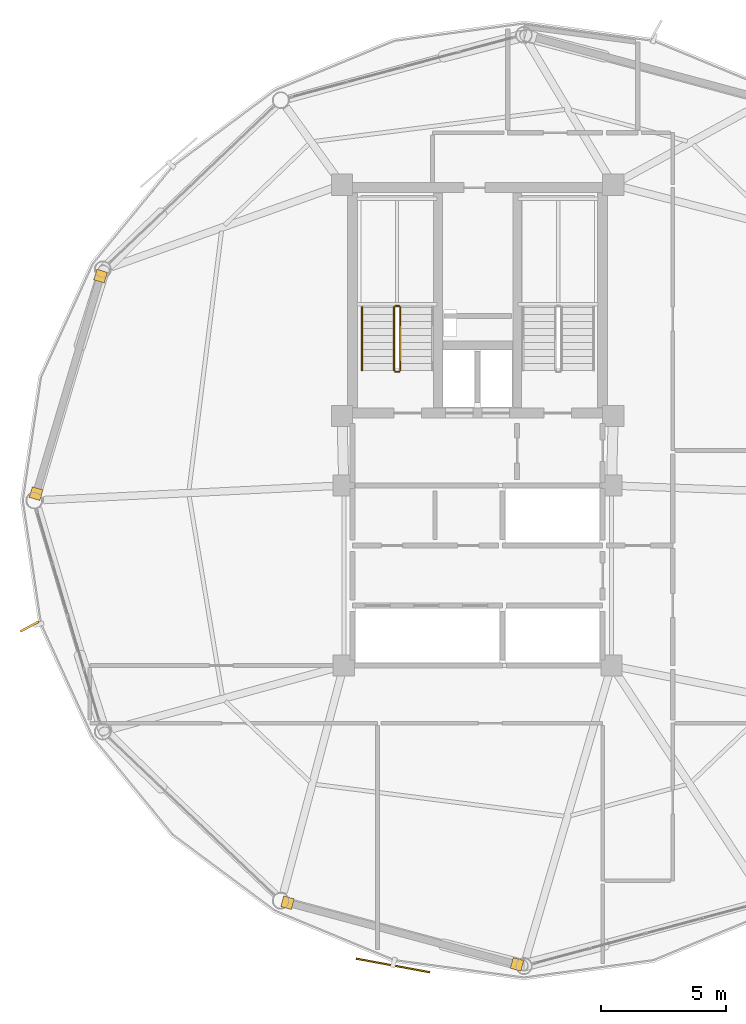
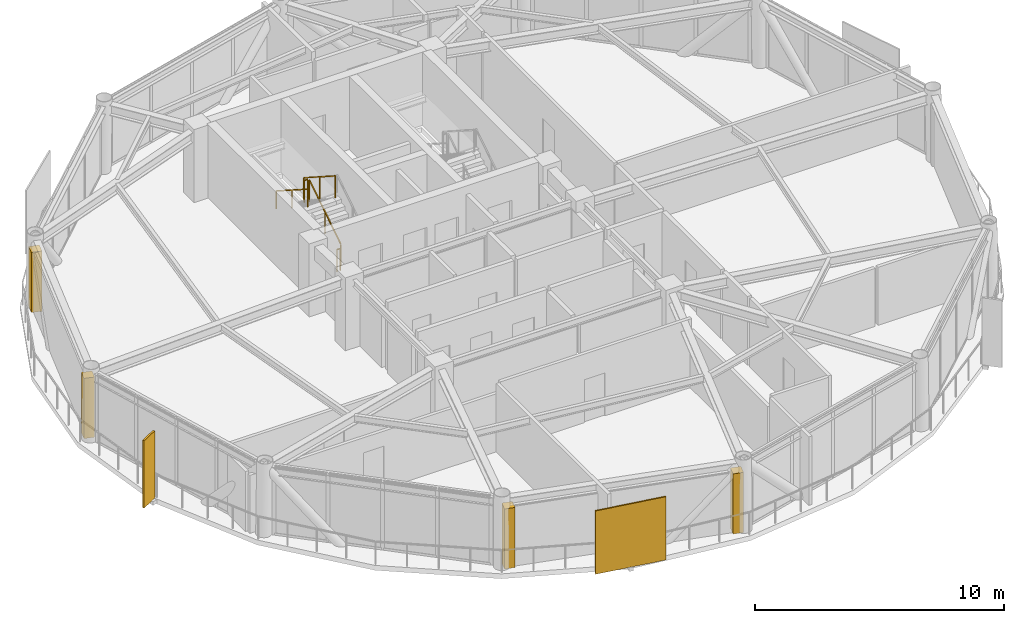
# One storey, part 26 of 29: 5 railings, 4 coverings, 2 shading devices.
"""IFC4 building model written with IfcOpenShell, lengths in metres."""

from ifc_helpers import new_model, si_unit, direction, frame, origin, origin_2d, place, context, subcontext, project, spatial, rectangle, extrude, source, transform, mapped, material, layer, layer_set, type_object, type_shapes, element, save


model = new_model("IFC4")

# Units and contexts
model_context = context("Model", 3, precision=1e-05, world=origin(), true_north=direction((0.0, 1.0)))
body_context = subcontext(model_context, "Body", "Model", "MODEL_VIEW")
ifc_project = project(units=[si_unit("LENGTHUNIT", "METRE"), si_unit("AREAUNIT", "SQUARE_METRE"), si_unit("VOLUMEUNIT", "CUBIC_METRE"), si_unit("PLANEANGLEUNIT", "RADIAN"), si_unit("MASSUNIT", "GRAM", prefix="KILO")], contexts=[model_context])

# Site, building, storey
site_placement = place(None, origin())
site = spatial("IfcSite", under=ifc_project, at=site_placement, CompositionType="ELEMENT")
building_placement = place(site_placement, origin())
building = spatial("IfcBuilding", under=site, at=building_placement, Name="Varnakorn Sky Granary", CompositionType="ELEMENT")
storey_placement = place(building_placement, frame((0.0, 0.0, 189.60009765625)))
storey = spatial("IfcBuildingStorey", under=building, at=storey_placement, Name="L47", CompositionType="ELEMENT", Elevation=189.60009765625)

# Railings
ifc_material_1 = material(Name="Brushed Stainless Steel 316", Category="steel")
railing_type_1 = type_object("IfcRailingType", Name="RL-STAIR-1100", PredefinedType="GUARDRAIL", material=ifc_material_1)
railing_1_placement = place(storey_placement, frame((-0.090087890625, 5.199951171875, 0.179931640625)))
element("IfcRailing", 1, at=railing_1_placement, inside=storey, type_object=railing_type_1, Name="L47 ST-1 stair guard 1", PredefinedType="GUARDRAIL", context=body_context, shape_type="SweptSolid", body=[
    extrude(rectangle(XDim=0.048095703125, YDim=0.048095703125, at=origin_2d()), frame((0.0, 0.0, 1.076171875), z_axis=(0.0, 0.841199657755, 0.540724639528), x_axis=(-1.0, 0.0, 0.0)), (0.0, 0.0, 1.0), 2.995849609375),
    extrude(rectangle(XDim=0.0419921875, YDim=0.0419921875, at=origin_2d()), origin(), (0.0, 0.0, 1.0), 1.048095703125),
    extrude(rectangle(XDim=0.0419921875, YDim=0.0419921875, at=origin_2d()), frame((0.0, 1.260009765625, 0.81005859375)), (0.0, 0.0, 1.0), 1.048095703125),
    extrude(rectangle(XDim=0.0419921875, YDim=0.0419921875, at=origin_2d()), frame((0.0, 2.52001953125, 1.619873046875)), (0.0, 0.0, 1.0), 1.048095703125),
])
railing_2_placement = place(storey_placement, frame((-0.139892578125, 7.77001953125, 1.7998046875)))
element("IfcRailing", 2, at=railing_2_placement, inside=storey, type_object=railing_type_1, Name="L47 ST-1 stair guard 2", PredefinedType="GUARDRAIL", context=body_context, shape_type="SweptSolid", body=[
    extrude(rectangle(XDim=0.048095703125, YDim=0.048095703125, at=origin_2d()), frame((0.0, 0.0, 1.076171875), z_axis=(-1.0, 0.0, 0.0), x_axis=(0.0, -1.0, 0.0)), (0.0, 0.0, 1.0), 0.150146484375),
    extrude(rectangle(XDim=0.0419921875, YDim=0.0419921875, at=origin_2d()), origin(), (0.0, 0.0, 1.0), 1.048095703125),
    extrude(rectangle(XDim=0.0419921875, YDim=0.0419921875, at=origin_2d()), frame((-0.150146484375, 0.0, 0.0)), (0.0, 0.0, 1.0), 1.048095703125),
])
railing_3_placement = place(storey_placement, frame((-0.340087890625, 7.719970703125, 1.97998046875)))
element("IfcRailing", 3, at=railing_3_placement, inside=storey, type_object=railing_type_1, Name="L47 ST-1 stair guard 3", PredefinedType="GUARDRAIL", context=body_context, shape_type="SweptSolid", body=[
    extrude(rectangle(XDim=0.048095703125, YDim=0.048095703125, at=origin_2d()), frame((0.0, 0.0, 1.076171875), z_axis=(0.0, -0.841199657755, 0.540724639528), x_axis=(1.0, 0.0, 0.0)), (0.0, 0.0, 1.0), 2.995849609375),
    extrude(rectangle(XDim=0.0419921875, YDim=0.0419921875, at=origin_2d()), origin(), (0.0, 0.0, 1.0), 1.048095703125),
    extrude(rectangle(XDim=0.0419921875, YDim=0.0419921875, at=origin_2d()), frame((0.0, -1.260009765625, 0.81005859375)), (0.0, 0.0, 1.0), 1.048095703125),
    extrude(rectangle(XDim=0.0419921875, YDim=0.0419921875, at=origin_2d()), frame((0.0, -2.52001953125, 1.619873046875)), (0.0, 0.0, 1.0), 1.048095703125),
])
railing_4_placement = place(storey_placement, frame((-0.139892578125, 5.14990234375, 0.0)))
element("IfcRailing", 4, at=railing_4_placement, inside=storey, type_object=railing_type_1, Name="L47 ST-1 stair guard 4", PredefinedType="GUARDRAIL", context=body_context, shape_type="SweptSolid", body=[
    extrude(rectangle(XDim=0.048095703125, YDim=0.048095703125, at=origin_2d()), frame((0.0, 0.0, 1.076171875), z_axis=(-1.0, 0.0, 0.0), x_axis=(0.0, -1.0, 0.0)), (0.0, 0.0, 1.0), 0.150146484375),
    extrude(rectangle(XDim=0.0419921875, YDim=0.0419921875, at=origin_2d()), origin(), (0.0, 0.0, 1.0), 1.048095703125),
    extrude(rectangle(XDim=0.0419921875, YDim=0.0419921875, at=origin_2d()), frame((-0.150146484375, 0.0, 0.0)), (0.0, 0.0, 1.0), 1.048095703125),
])
railing_type_2 = type_object("IfcRailingType", Name="RL-STAIR-920", PredefinedType="HANDRAIL", material=ifc_material_1)
railing_5_placement = place(storey_placement, frame((-1.6201171875, 7.719970703125, 1.97998046875)))
element("IfcRailing", 5, at=railing_5_placement, inside=storey, type_object=railing_type_2, Name="L47 ST-1 stair handrail 2", PredefinedType="HANDRAIL", context=body_context, shape_type="SweptSolid", body=[
    extrude(rectangle(XDim=0.048095703125, YDim=0.048095703125, at=origin_2d()), frame((0.0, 0.0, 0.8759765625), z_axis=(0.0, -0.841199657755, 0.540724639528), x_axis=(1.0, 0.0, 0.0)), (0.0, 0.0, 1.0), 2.995849609375),
    extrude(rectangle(XDim=0.0419921875, YDim=0.0419921875, at=origin_2d()), origin(), (0.0, 0.0, 1.0), 0.847900390625),
    extrude(rectangle(XDim=0.0419921875, YDim=0.0419921875, at=origin_2d()), frame((0.0, -1.260009765625, 0.81005859375)), (0.0, 0.0, 1.0), 0.847900390625),
    extrude(rectangle(XDim=0.0419921875, YDim=0.0419921875, at=origin_2d()), frame((0.0, -2.52001953125, 1.619873046875)), (0.0, 0.0, 1.0), 0.847900390625),
])

# Shading devices
ifc_material_2 = material(Name="Anodised Bronze Aluminium Alloy 6063-T6", Category="aluminium")
shading_device_type_1 = type_object("IfcShadingDeviceType", Name="SH-SCR-02", PredefinedType="USERDEFINED", material=ifc_material_2)
shared_shape_1 = source(origin(), body_context, "Body", "SweptSolid", [
    extrude(rectangle(XDim=3.0, YDim=0.06494140625, at=origin_2d()), origin(), (0.0, 0.0, 1.0), 3.10009765625),
])
type_shapes(shading_device_type_1, [shared_shape_1])
shading_device_1_placement = place(storey_placement, frame((-0.382080078125, -18.58349609375, -0.0400390625), z_axis=(0.0, 0.0, 1.0), x_axis=(0.983336392502, -0.181795322222, 0.0)))
element("IfcShadingDevice", 6, at=shading_device_1_placement, inside=storey, type_object=shading_device_type_1, Name="Perforated Bronze Solar Screen Panel SCREEN L47-09", ObjectType="SCREEN", PredefinedType="USERDEFINED", context=body_context, shape_type="MappedRepresentation", body=[
    mapped(shared_shape_1, transform((0.0, 0.0, 0.0), x_axis=(1.0, 0.0, 0.0), y_axis=(0.0, 1.0, 0.0), z_axis=(0.0, 0.0, 1.0), scale=1.0)),
])
shading_device_type_2 = type_object("IfcShadingDeviceType", Name="SH-FIN-02", PredefinedType="USERDEFINED", material=ifc_material_2)
shared_shape_2 = source(origin(), body_context, "Body", "SweptSolid", [
    extrude(rectangle(XDim=0.0849609375, YDim=0.820068359375, at=origin_2d()), origin(), (0.0, 0.0, 1.0), 3.300048828125),
])
type_shapes(shading_device_type_2, [shared_shape_2])
shading_device_2_placement = place(storey_placement, frame((-14.908447265625, -5.038818359375, -0.0400390625), z_axis=(0.0, 0.0, 1.0), x_axis=(0.474892010694, -0.880044077407, 0.0)))
element("IfcShadingDevice", 7, at=shading_device_2_placement, inside=storey, type_object=shading_device_type_2, Name="Bronze Solar-Tracking Vertical Blade FIN L47-07", ObjectType="FIN", PredefinedType="USERDEFINED", context=body_context, shape_type="MappedRepresentation", body=[
    mapped(shared_shape_2, transform((0.0, 0.0, 0.0), x_axis=(1.0, 0.0, 0.0), y_axis=(0.0, 1.0, 0.0), z_axis=(0.0, 0.0, 1.0), scale=1.0)),
])

# Coverings
ifc_layer = layer(ifc_material_2, 0.050048828125, Name="Anodised Bronze Aluminium Alloy 6063-T6")
ifc_layer_set = layer_set([ifc_layer], Name="Anodised Bronze Aluminium Alloy 6063-T6")
covering_type = type_object("IfcCoveringType", Name="CV-CLAD-50", PredefinedType="CLADDING", material=ifc_layer_set)
shared_shape_3 = source(origin(), body_context, "Body", "SweptSolid", [
    extrude(rectangle(XDim=0.43994140625, YDim=0.43994140625, at=origin_2d()), origin(), (0.0, 0.0, 1.0), 2.949951171875),
])
type_shapes(covering_type, [shared_shape_3])
for number, where, z_axis, x_axis, name in (
    (8, (-14.64794921875, 0.273193359375, -0.02001953125), (0.0, 0.0, 1.0), (0.28435001862, 0.958720536398, 0.0), "Bronze Corner Pilaster Closure L47-P06-A"),
    (9, (-12.070068359375, 8.966796875, -0.02001953125), (0.0, 0.0, 1.0), (0.28435001862, 0.958720536398, 0.0), "Bronze Corner Pilaster Closure L47-P06-B"),
    (10, (4.57470703125, -18.541015625, -0.02001953125), (0.0, 0.0, 1.0), (-0.965790176553, 0.259324767181, 0.0), "Bronze Corner Pilaster Closure L47-P09-A"),
    (11, (-4.5966796875, -16.077880859375, -0.02001953125), (0.0, 0.0, 1.0), (-0.965790176553, 0.259324767181, 0.0), "Bronze Corner Pilaster Closure L47-P09-B"),
):
    element("IfcCovering", number, at=place(storey_placement, frame(where, z_axis=z_axis, x_axis=x_axis)), inside=storey, type_object=covering_type, Name=name, PredefinedType="CLADDING", context=body_context, shape_type="MappedRepresentation", body=[
        mapped(shared_shape_3, transform((0.0, 0.0, 0.0), x_axis=(1.0, 0.0, 0.0), y_axis=(0.0, 1.0, 0.0), z_axis=(0.0, 0.0, 1.0), scale=1.0)),
    ])

save(model, "model.ifc")
